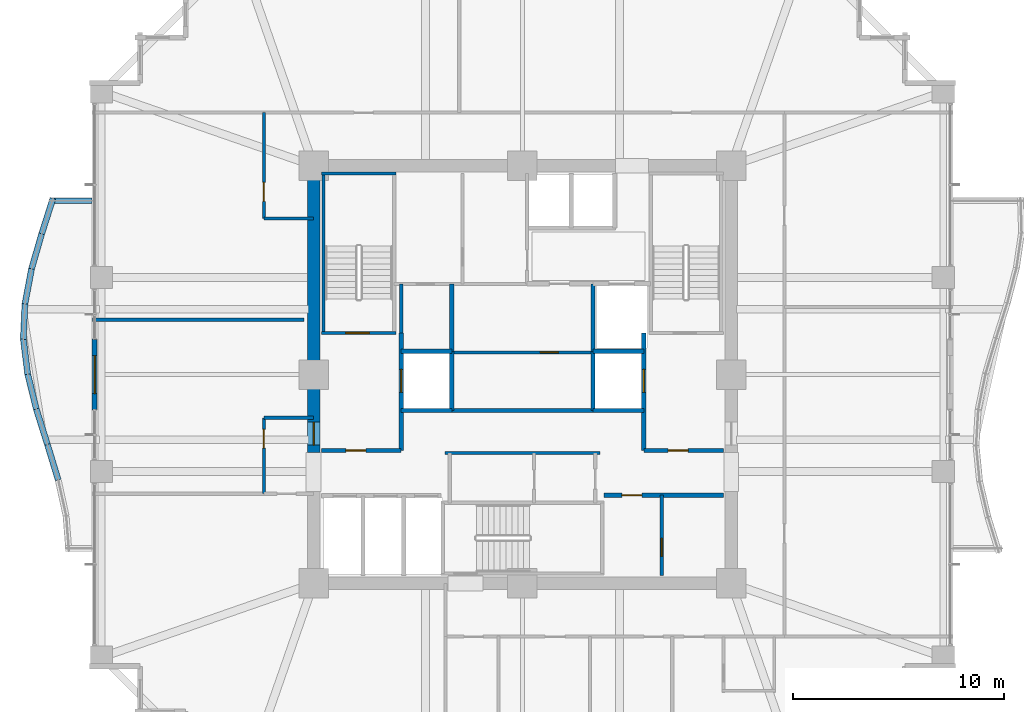
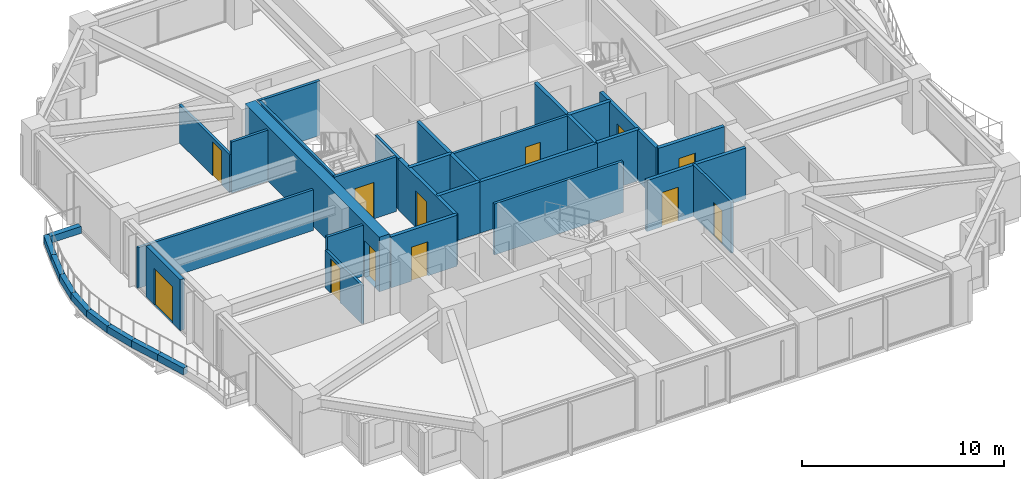
# One storey, part 31 of 36: 37 walls, 12 doors, 12 openings.
"""IFC4 building model written with IfcOpenShell, lengths in metres."""

from ifc_helpers import new_model, si_unit, direction, frame, frame_2d, origin, place, context, subcontext, project, spatial, rectangle, extrude, material, layer, layer_set, type_object, element, fill, save


model = new_model("IFC4")

# Units and contexts
model_context = context("Model", 3, precision=1e-05, world=origin(), true_north=direction((0.0, 1.0)))
body_context = subcontext(model_context, "Body", "Model", "MODEL_VIEW")
ifc_project = project(units=[si_unit("LENGTHUNIT", "METRE"), si_unit("AREAUNIT", "SQUARE_METRE"), si_unit("VOLUMEUNIT", "CUBIC_METRE"), si_unit("PLANEANGLEUNIT", "RADIAN"), si_unit("MASSUNIT", "GRAM", prefix="KILO")], contexts=[model_context])

# Site, building, storey
site_placement = place(None, origin())
site = spatial("IfcSite", under=ifc_project, at=site_placement, CompositionType="ELEMENT")
building_placement = place(site_placement, origin())
building = spatial("IfcBuilding", under=site, at=building_placement, Name="Kolvaren Belvedere", CompositionType="ELEMENT")
storey_placement = place(building_placement, frame((0.0, 0.0, 88.699951171875)))
storey = spatial("IfcBuildingStorey", under=building, at=storey_placement, Name="L25", CompositionType="ELEMENT", Elevation=88.699951171875)

# Wall, opening, door
ifc_material_1 = material(Name="Concrete C60/75", Category="concrete")
ifc_layer_1 = layer(ifc_material_1, 0.60009765625)
ifc_layer_set_1 = layer_set([ifc_layer_1], Name="Concrete C60/75")
wall_type_1 = type_object("IfcWallType", Name="CW-CORE-600", PredefinedType="SHEAR", material=ifc_layer_set_1)
wall_1_placement = place(storey_placement, frame((-9.89990234375, -3.699951171875, 0.0), z_axis=(0.0, 0.0, 1.0), x_axis=(0.0, 1.0, 0.0)))
wall_1 = element("IfcWall", 1, at=wall_1_placement, inside=storey, type_object=wall_type_1, Name="L25 West Core Shear Wall 2", PredefinedType="SHEAR", context=body_context, shape_type="SweptSolid", body=[
    extrude(rectangle(XDim=13.300048828125, YDim=0.60009765625, at=frame_2d((6.64990234375, 0.0))), origin(), (0.0, 0.0, 1.0), 3.300048828125),
])
opening_1_placement = place(wall_1_placement, frame((0.35009765625, 0.0, 0.0)))
opening_1 = element("IfcOpeningElement", 2, at=opening_1_placement, cuts=wall_1, Name="Opening D-FD90", PredefinedType="OPENING", context=body_context, shape_type="SweptSolid", body=[
    extrude(rectangle(XDim=1.10009765625, YDim=2.199951171875, at=frame_2d((0.550048828125, 1.10009765625))), frame((0.0, 0.31005859375, 0.0), z_axis=(0.0, -1.0, 0.0), x_axis=(1.0, 0.0, 0.0)), (0.0, 0.0, 1.0), 0.6201171875),
])
ifc_material_2 = material(Name="Painted hollow stainless steel", Category="steel")
door_type_1 = type_object("IfcDoorType", Name="DR-FD90-1100", OperationType="NOTDEFINED", PredefinedType="DOOR", material=ifc_material_2)
door_1_placement = place(opening_1_placement, origin())
door_1 = element("IfcDoor", 3, at=door_1_placement, inside=storey, type_object=door_type_1, Name="L25 West Firefighting Lobby Fire Door", OperationType="SINGLE_SWING_LEFT", OverallHeight=2.199951171875, OverallWidth=1.10009765625, PredefinedType="DOOR", context=body_context, shape_type="SweptSolid", body=[
    extrude(rectangle(XDim=1.10009765625, YDim=2.199951171875, at=frame_2d((0.550048828125, 1.10009765625))), frame((0.0, 0.02490234375, 0.0), z_axis=(0.0, -1.0, 0.0), x_axis=(1.0, 0.0, 0.0)), (0.0, 0.0, 1.0), 0.050048828125),
])
fill(opening_1, door_1)

ifc_material_3 = material(Name="Concrete C50/60", Category="concrete")
ifc_layer_2 = layer(ifc_material_3, 0.159912109375)
ifc_layer_set_2 = layer_set([ifc_layer_2], Name="Concrete C50/60")
wall_type_2 = type_object("IfcWallType", Name="CW-STAIR-160", PredefinedType="SHEAR", material=ifc_layer_set_2)
wall_2_placement = place(storey_placement, frame((-9.52001953125, 1.969970703125, 0.0), z_axis=(0.0, 0.0, 1.0), x_axis=(1.0, 0.0, 0.0)))
wall_2 = element("IfcWall", 4, at=wall_2_placement, inside=storey, type_object=wall_type_2, Name="L25 Stair ST-1 South Shear Wall", PredefinedType="SHEAR", context=body_context, shape_type="SweptSolid", body=[
    extrude(rectangle(XDim=3.52001953125, YDim=0.159912109375, at=frame_2d((1.760009765625, 0.0))), origin(), (0.0, 0.0, 1.0), 3.300048828125),
])
opening_2_placement = place(wall_2_placement, frame((1.14990234375, 0.0, 0.0)))
opening_2 = element("IfcOpeningElement", 5, at=opening_2_placement, cuts=wall_2, Name="Opening D-FD90", PredefinedType="OPENING", context=body_context, shape_type="SweptSolid", body=[
    extrude(rectangle(XDim=1.10009765625, YDim=2.199951171875, at=frame_2d((0.550048828125, 1.10009765625))), frame((0.0, 0.08984375, 0.0), z_axis=(0.0, -1.0, 0.0), x_axis=(1.0, 0.0, 0.0)), (0.0, 0.0, 1.0), 0.179931640625),
])
door_2_placement = place(opening_2_placement, origin())
door_2 = element("IfcDoor", 6, at=door_2_placement, inside=storey, type_object=door_type_1, Name="L25 Stair ST-1 Fire Door", OperationType="SINGLE_SWING_LEFT", OverallHeight=2.199951171875, OverallWidth=1.10009765625, PredefinedType="DOOR", context=body_context, shape_type="SweptSolid", body=[
    extrude(rectangle(XDim=1.10009765625, YDim=2.199951171875, at=frame_2d((0.550048828125, 1.10009765625))), frame((0.0, 0.02490234375, 0.0), z_axis=(0.0, -1.0, 0.0), x_axis=(1.0, 0.0, 0.0)), (0.0, 0.0, 1.0), 0.050048828125),
])
fill(opening_2, door_2)

# Walls
wall_3_placement = place(storey_placement, frame((-9.52001953125, 9.530029296875, 0.0), z_axis=(0.0, 0.0, 1.0), x_axis=(1.0, 0.0, 0.0)))
element("IfcWall", 7, at=wall_3_placement, inside=storey, type_object=wall_type_2, Name="L25 Stair ST-1 North Shear Wall", PredefinedType="SHEAR", context=body_context, shape_type="SweptSolid", body=[
    extrude(rectangle(XDim=3.52001953125, YDim=0.159912109375, at=frame_2d((1.760009765625, 0.0))), origin(), (0.0, 0.0, 1.0), 3.300048828125),
])
wall_4_placement = place(storey_placement, frame((-9.429931640625, 1.969970703125, 0.0), z_axis=(0.0, 0.0, 1.0), x_axis=(0.0, 1.0, 0.0)))
element("IfcWall", 8, at=wall_4_placement, inside=storey, type_object=wall_type_2, Name="L25 Stair ST-1 West Shear Wall", PredefinedType="SHEAR", context=body_context, shape_type="SweptSolid", body=[
    extrude(rectangle(XDim=7.56005859375, YDim=0.159912109375, at=frame_2d((3.780029296875, 0.0))), origin(), (0.0, 0.0, 1.0), 3.300048828125),
])

# Wall, opening, door
ifc_material_4 = material(Name="Gypsum fire-rated partition assembly", Category="gypsum")
ifc_layer_3 = layer(ifc_material_4, 0.14990234375)
ifc_layer_set_3 = layer_set([ifc_layer_3], Name="Gypsum fire-rated partition assembly")
wall_type_3 = type_object("IfcWallType", Name="WL-CORR-150", PredefinedType="PARTITIONING", material=ifc_layer_set_3)
wall_5_placement = place(storey_placement, frame((-12.260009765625, 7.39990234375, 0.0), z_axis=(0.0, 0.0, 1.0), x_axis=(0.0, 1.0, 0.0)))
wall_5 = element("IfcWall", 9, at=wall_5_placement, inside=storey, type_object=wall_type_3, Name="L25 NW Corridor End Wall", PredefinedType="PARTITIONING", context=body_context, shape_type="SweptSolid", body=[
    extrude(rectangle(XDim=5.02001953125, YDim=0.14990234375, at=frame_2d((2.510009765625, 0.0))), origin(), (0.0, 0.0, 1.0), 2.2919921875),
])
opening_3_placement = place(wall_5_placement, frame((0.81103515625, 0.0, 0.0)))
opening_3 = element("IfcOpeningElement", 10, at=opening_3_placement, cuts=wall_5, Name="Opening D-INT90", PredefinedType="OPENING", context=body_context, shape_type="SweptSolid", body=[
    extrude(rectangle(XDim=0.89990234375, YDim=2.06005859375, at=frame_2d((0.449951171875, 1.030029296875))), frame((0.0, 0.0849609375, 0.0), z_axis=(0.0, -1.0, 0.0), x_axis=(1.0, 0.0, 0.0)), (0.0, 0.0, 1.0), 0.169921875),
])
ifc_material_5 = material(Name="Stained Pacific white oak", Category="timber")
door_type_2 = type_object("IfcDoorType", Name="DR-INT-900", OperationType="NOTDEFINED", PredefinedType="DOOR", material=ifc_material_5)
door_3_placement = place(opening_3_placement, origin())
door_3 = element("IfcDoor", 11, at=door_3_placement, inside=storey, type_object=door_type_2, Name="L25 Private Hospitality Meeting Room 2505 Door", OperationType="SINGLE_SWING_RIGHT", OverallHeight=2.06005859375, OverallWidth=0.89990234375, PredefinedType="DOOR", context=body_context, shape_type="SweptSolid", body=[
    extrude(rectangle(XDim=0.89990234375, YDim=2.06005859375, at=frame_2d((0.449951171875, 1.030029296875))), frame((0.0, 0.02490234375, 0.0), z_axis=(0.0, -1.0, 0.0), x_axis=(1.0, 0.0, 0.0)), (0.0, 0.0, 1.0), 0.050048828125),
])
fill(opening_3, door_3)

# Wall
wall_6_placement = place(storey_placement, frame((-12.260009765625, 7.39990234375, 0.0), z_axis=(0.0, 0.0, 1.0), x_axis=(1.0, 0.0, 0.0)))
element("IfcWall", 12, at=wall_6_placement, inside=storey, type_object=wall_type_3, Name="L25 NW Core Closure Wall", PredefinedType="PARTITIONING", context=body_context, shape_type="SweptSolid", body=[
    extrude(rectangle(XDim=2.360107421875, YDim=0.14990234375, at=frame_2d((1.18017578125, 0.0))), origin(), (0.0, 0.0, 1.0), 3.080078125),
])

# Wall, opening, door
wall_7_placement = place(storey_placement, frame((-12.260009765625, -5.64990234375, 0.0), z_axis=(0.0, 0.0, 1.0), x_axis=(0.0, 1.0, 0.0)))
wall_7 = element("IfcWall", 13, at=wall_7_placement, inside=storey, type_object=wall_type_3, Name="L25 West FSAE Pocket Wall", PredefinedType="PARTITIONING", context=body_context, shape_type="SweptSolid", body=[
    extrude(rectangle(XDim=3.599853515625, YDim=0.14990234375, at=frame_2d((1.7998046875, 0.0))), origin(), (0.0, 0.0, 1.0), 2.2919921875),
])
opening_4_placement = place(wall_7_placement, frame((2.15625, 0.0, 0.0)))
opening_4 = element("IfcOpeningElement", 14, at=opening_4_placement, cuts=wall_7, Name="Opening D-INT90", PredefinedType="OPENING", context=body_context, shape_type="SweptSolid", body=[
    extrude(rectangle(XDim=0.89990234375, YDim=2.06005859375, at=frame_2d((0.449951171875, 1.030029296875))), frame((0.0, 0.0849609375, 0.0), z_axis=(0.0, -1.0, 0.0), x_axis=(1.0, 0.0, 0.0)), (0.0, 0.0, 1.0), 0.169921875),
])
door_4_placement = place(opening_4_placement, origin())
door_4 = element("IfcDoor", 15, at=door_4_placement, inside=storey, type_object=door_type_2, Name="L25 Botanical Reading Salon 2506 Door", OperationType="SINGLE_SWING_LEFT", OverallHeight=2.06005859375, OverallWidth=0.89990234375, PredefinedType="DOOR", context=body_context, shape_type="SweptSolid", body=[
    extrude(rectangle(XDim=0.89990234375, YDim=2.06005859375, at=frame_2d((0.449951171875, 1.030029296875))), frame((0.0, 0.02490234375, 0.0), z_axis=(0.0, -1.0, 0.0), x_axis=(1.0, 0.0, 0.0)), (0.0, 0.0, 1.0), 0.050048828125),
])
fill(opening_4, door_4)

# Wall
wall_8_placement = place(storey_placement, frame((-12.260009765625, -2.050048828125, 0.0), z_axis=(0.0, 0.0, 1.0), x_axis=(1.0, 0.0, 0.0)))
element("IfcWall", 16, at=wall_8_placement, inside=storey, type_object=wall_type_3, Name="L25 West Pocket North Closure Wall", PredefinedType="PARTITIONING", context=body_context, shape_type="SweptSolid", body=[
    extrude(rectangle(XDim=2.360107421875, YDim=0.14990234375, at=frame_2d((1.18017578125, 0.0))), origin(), (0.0, 0.0, 1.0), 3.080078125),
])

# Wall, opening, door
ifc_material_6 = material(Name="Insulated pale-metal facade wall assembly", Category="aluminium")
ifc_layer_4 = layer(ifc_material_6, 0.239990234375)
ifc_layer_set_4 = layer_set([ifc_layer_4], Name="Insulated pale-metal facade wall assembly")
wall_type_4 = type_object("IfcWallType", Name="WL-EXT-240", PredefinedType="STANDARD", material=ifc_layer_set_4)
wall_9_placement = place(storey_placement, frame((-20.280029296875, -1.679931640625, 0.0), z_axis=(0.0, 0.0, 1.0), x_axis=(0.0, 1.0, 0.0)))
wall_9 = element("IfcWall", 17, at=wall_9_placement, inside=storey, type_object=wall_type_4, Name="L25 West Terrace Portal Wall", PredefinedType="STANDARD", context=body_context, shape_type="SweptSolid", body=[
    extrude(rectangle(XDim=3.35986328125, YDim=0.239990234375, at=frame_2d((1.679931640625, 0.0))), origin(), (0.0, 0.0, 1.0), 3.080078125),
])
opening_5_placement = place(wall_9_placement, frame((0.780029296875, 0.0, 0.0)))
opening_5 = element("IfcOpeningElement", 18, at=opening_5_placement, cuts=wall_9, Name="Opening DB-1800", PredefinedType="OPENING", context=body_context, shape_type="SweptSolid", body=[
    extrude(rectangle(XDim=1.800048828125, YDim=2.199951171875, at=frame_2d((0.89990234375, 1.10009765625))), frame((0.0, 0.1298828125, 0.0), z_axis=(0.0, -1.0, 0.0), x_axis=(1.0, 0.0, 0.0)), (0.0, 0.0, 1.0), 0.260009765625),
])
ifc_material_7 = material(Name="Thermally broken pale-metal aluminium & low-iron glass", Category="aluminium")
door_type_3 = type_object("IfcDoorType", Name="DR-BAL-1800", OperationType="DOUBLE_DOOR_SLIDING", PredefinedType="DOOR", material=ifc_material_7)
door_5_placement = place(opening_5_placement, origin())
door_5 = element("IfcDoor", 19, at=door_5_placement, inside=storey, type_object=door_type_3, Name="L25 West Planted Terrace Sliding Door", OperationType="DOUBLE_DOOR_SLIDING", OverallHeight=2.199951171875, OverallWidth=1.800048828125, PredefinedType="DOOR", context=body_context, shape_type="SweptSolid", body=[
    extrude(rectangle(XDim=1.800048828125, YDim=2.199951171875, at=frame_2d((0.89990234375, 1.10009765625))), frame((0.0, 0.02490234375, 0.0), z_axis=(0.0, -1.0, 0.0), x_axis=(1.0, 0.0, 0.0)), (0.0, 0.0, 1.0), 0.050048828125),
])
fill(opening_5, door_5)

ifc_material_8 = material(Name="Gypsum acoustic partition assembly", Category="gypsum")
ifc_layer_5 = layer(ifc_material_8, 0.14990234375)
ifc_layer_set_5 = layer_set([ifc_layer_5], Name="Gypsum acoustic partition assembly")
wall_type_5 = type_object("IfcWallType", Name="WL-PART-150", PredefinedType="PARTITIONING", material=ifc_layer_set_5)
wall_10_placement = place(storey_placement, frame((6.60009765625, -9.52001953125, 0.0), z_axis=(0.0, 0.0, 1.0), x_axis=(0.0, 1.0, 0.0)))
wall_10 = element("IfcWall", 20, at=wall_10_placement, inside=storey, type_object=wall_type_5, Name="L25 SE Core Divider", PredefinedType="PARTITIONING", context=body_context, shape_type="SweptSolid", body=[
    extrude(rectangle(XDim=3.800048828125, YDim=0.14990234375, at=frame_2d((1.89990234375, 0.0))), origin(), (0.0, 0.0, 1.0), 3.080078125),
])
opening_6_placement = place(wall_10_placement, frame((0.89990234375, 0.0, 0.0)))
opening_6 = element("IfcOpeningElement", 21, at=opening_6_placement, cuts=wall_10, Name="Opening D-INT85", PredefinedType="OPENING", context=body_context, shape_type="SweptSolid", body=[
    extrude(rectangle(XDim=0.85009765625, YDim=2.030029296875, at=frame_2d((0.425048828125, 1.01513671875))), frame((0.0, 0.0849609375, 0.0), z_axis=(0.0, -1.0, 0.0), x_axis=(1.0, 0.0, 0.0)), (0.0, 0.0, 1.0), 0.169921875),
])
ifc_material_9 = material(Name="Stained Pacific white oak", Category="timber")
door_type_4 = type_object("IfcDoorType", Name="DR-INT-850", OperationType="NOTDEFINED", PredefinedType="DOOR", material=ifc_material_9)
door_6_placement = place(opening_6_placement, origin())
door_6 = element("IfcDoor", 22, at=door_6_placement, inside=storey, type_object=door_type_4, Name="L25 SE Switchboard Door", OperationType="SINGLE_SWING_LEFT", OverallHeight=2.030029296875, OverallWidth=0.85009765625, PredefinedType="DOOR", context=body_context, shape_type="SweptSolid", body=[
    extrude(rectangle(XDim=0.85009765625, YDim=2.030029296875, at=frame_2d((0.425048828125, 1.01513671875))), frame((0.0, 0.02490234375, 0.0), z_axis=(0.0, -1.0, 0.0), x_axis=(1.0, 0.0, 0.0)), (0.0, 0.0, 1.0), 0.050048828125),
])
fill(opening_6, door_6)

wall_11_placement = place(storey_placement, frame((-3.35009765625, 1.050048828125, 0.0), z_axis=(0.0, 0.0, 1.0), x_axis=(1.0, 0.0, 0.0)))
wall_11 = element("IfcWall", 23, at=wall_11_placement, inside=storey, type_object=wall_type_5, Name="L25 Central Core H-Divider", PredefinedType="PARTITIONING", context=body_context, shape_type="SweptSolid", body=[
    extrude(rectangle(XDim=6.7001953125, YDim=0.14990234375, at=frame_2d((3.35009765625, 0.0))), origin(), (0.0, 0.0, 1.0), 3.080078125),
])
opening_7_placement = place(wall_11_placement, frame((4.199951171875, 0.0, 0.0)))
opening_7 = element("IfcOpeningElement", 24, at=opening_7_placement, cuts=wall_11, Name="Opening D-INT85", PredefinedType="OPENING", context=body_context, shape_type="SweptSolid", body=[
    extrude(rectangle(XDim=0.85009765625, YDim=2.030029296875, at=frame_2d((0.425048828125, 1.01513671875))), frame((0.0, 0.0849609375, 0.0), z_axis=(0.0, -1.0, 0.0), x_axis=(1.0, 0.0, 0.0)), (0.0, 0.0, 1.0), 0.169921875),
])
door_7_placement = place(opening_7_placement, origin())
door_7 = element("IfcDoor", 25, at=door_7_placement, inside=storey, type_object=door_type_4, Name="L25 Central Archive Door", OperationType="SINGLE_SWING_LEFT", OverallHeight=2.030029296875, OverallWidth=0.85009765625, PredefinedType="DOOR", context=body_context, shape_type="SweptSolid", body=[
    extrude(rectangle(XDim=0.85009765625, YDim=2.030029296875, at=frame_2d((0.425048828125, 1.01513671875))), frame((0.0, 0.02490234375, 0.0), z_axis=(0.0, -1.0, 0.0), x_axis=(1.0, 0.0, 0.0)), (0.0, 0.0, 1.0), 0.050048828125),
])
fill(opening_7, door_7)

# Walls
wall_12_placement = place(storey_placement, frame((-3.679931640625, -3.719970703125, 0.0), z_axis=(0.0, 0.0, 1.0), x_axis=(1.0, 0.0, 0.0)))
element("IfcWall", 26, at=wall_12_placement, inside=storey, type_object=wall_type_5, Name="L25 South Core Service North Wall", PredefinedType="PARTITIONING", context=body_context, shape_type="SweptSolid", body=[
    extrude(rectangle(XDim=7.35986328125, YDim=0.14990234375, at=frame_2d((3.679931640625, 0.0))), origin(), (0.0, 0.0, 1.0), 3.080078125),
])
wall_13_placement = place(storey_placement, frame((-5.75, 1.969970703125, 0.0), z_axis=(0.0, 0.0, 1.0), x_axis=(0.0, 1.0, 0.0)))
element("IfcWall", 27, at=wall_13_placement, inside=storey, type_object=wall_type_5, Name="L25 NW Service Room West Wall", PredefinedType="PARTITIONING", context=body_context, shape_type="SweptSolid", body=[
    extrude(rectangle(XDim=2.330078125, YDim=0.14990234375, at=frame_2d((1.1650390625, 0.0))), origin(), (0.0, 0.0, 1.0), 3.080078125),
])
wall_14_placement = place(storey_placement, frame((-20.3798828125, 2.60009765625, 0.0), z_axis=(0.0, 0.0, 1.0), x_axis=(1.0, 0.0, 0.0)))
element("IfcWall", 28, at=wall_14_placement, inside=storey, type_object=wall_type_5, Name="L25 West Upper Suite Divider", PredefinedType="PARTITIONING", context=body_context, shape_type="SweptSolid", body=[
    extrude(rectangle(XDim=10.019775390625, YDim=0.14990234375, at=frame_2d((5.009765625, 0.0))), origin(), (0.0, 0.0, 1.0), 2.448974609375),
])
ifc_material_10 = material(Name="Precast concrete C40/50", Category="concrete")
ifc_layer_6 = layer(ifc_material_10, 0.300048828125)
ifc_layer_set_6 = layer_set([ifc_layer_6], Name="Precast concrete C40/50")
wall_type_6 = type_object("IfcWallType", Name="WL-PLANTER-300", PredefinedType="PARAPET", material=ifc_layer_set_6)
wall_15_placement = place(storey_placement, frame((-22.25390625, 8.351318359375, -0.0400390625), z_axis=(0.0, 0.0, 1.0), x_axis=(-0.304032153573, -0.952661770826, 0.0)))
element("IfcWall", 29, at=wall_15_placement, inside=storey, type_object=wall_type_6, Name="L25 Precast Structural Planter Wall BAL-W-1", PredefinedType="PARAPET", context=body_context, shape_type="SweptSolid", body=[
    extrude(rectangle(XDim=1.763427734375, YDim=0.280029296875, at=frame_2d((0.8818359375, 0.0))), origin(), (0.0, 0.0, 1.0), 0.420166015625),
])
wall_16_placement = place(storey_placement, frame((-22.788818359375, 6.675537109375, -0.0400390625), z_axis=(0.0, 0.0, 1.0), x_axis=(-0.277817391164, -0.960633903819, 0.0)))
element("IfcWall", 30, at=wall_16_placement, inside=storey, type_object=wall_type_6, Name="L25 Precast Structural Planter Wall BAL-W-2", PredefinedType="PARAPET", context=body_context, shape_type="SweptSolid", body=[
    extrude(rectangle(XDim=1.748779296875, YDim=0.280029296875, at=frame_2d((0.87451171875, 0.0))), origin(), (0.0, 0.0, 1.0), 0.420166015625),
])
wall_17_placement = place(storey_placement, frame((-23.271240234375, 5.010498046875, -0.0400390625), z_axis=(0.0, 0.0, 1.0), x_axis=(-0.184650661912, -0.982804219087, 0.0)))
element("IfcWall", 31, at=wall_17_placement, inside=storey, type_object=wall_type_6, Name="L25 Precast Structural Planter Wall BAL-W-3", PredefinedType="PARAPET", context=body_context, shape_type="SweptSolid", body=[
    extrude(rectangle(XDim=1.70947265625, YDim=0.280029296875, at=frame_2d((0.854736328125, 0.0))), origin(), (0.0, 0.0, 1.0), 0.420166015625),
])
wall_18_placement = place(storey_placement, frame((-23.58447265625, 3.352783203125, -0.0400390625), z_axis=(0.0, 0.0, 1.0), x_axis=(-0.045005941428, -0.998986719249, 0.0)))
element("IfcWall", 32, at=wall_18_placement, inside=storey, type_object=wall_type_6, Name="L25 Precast Structural Planter Wall BAL-W-4", PredefinedType="PARAPET", context=body_context, shape_type="SweptSolid", body=[
    extrude(rectangle(XDim=1.681640625, YDim=0.280029296875, at=frame_2d((0.8408203125, 0.0))), origin(), (0.0, 0.0, 1.0), 0.420166015625),
])
wall_19_placement = place(storey_placement, frame((-23.6611328125, 1.699462890625, -0.0400390625), z_axis=(0.0, 0.0, 1.0), x_axis=(0.121886315522, -0.99254406758, 0.0)))
element("IfcWall", 33, at=wall_19_placement, inside=storey, type_object=wall_type_6, Name="L25 Precast Structural Planter Wall BAL-W-5", PredefinedType="PARAPET", context=body_context, shape_type="SweptSolid", body=[
    extrude(rectangle(XDim=1.692626953125, YDim=0.280029296875, at=frame_2d((0.84619140625, 0.0))), origin(), (0.0, 0.0, 1.0), 0.420166015625),
])
wall_20_placement = place(storey_placement, frame((-23.458251953125, 0.038330078125, -0.0400390625), z_axis=(0.0, 0.0, 1.0), x_axis=(0.239180748277, -0.970975061293, 0.0)))
element("IfcWall", 34, at=wall_20_placement, inside=storey, type_object=wall_type_6, Name="L25 Precast Structural Planter Wall BAL-W-6", PredefinedType="PARAPET", context=body_context, shape_type="SweptSolid", body=[
    extrude(rectangle(XDim=1.730224609375, YDim=0.280029296875, at=frame_2d((0.865234375, 0.0))), origin(), (0.0, 0.0, 1.0), 0.420166015625),
])
wall_21_placement = place(storey_placement, frame((-23.047119140625, -1.632080078125, -0.0400390625), z_axis=(0.0, 0.0, 1.0), x_axis=(0.299624691176, -0.954057149461, 0.0)))
element("IfcWall", 35, at=wall_21_placement, inside=storey, type_object=wall_type_6, Name="L25 Precast Structural Planter Wall BAL-W-7", PredefinedType="PARAPET", context=body_context, shape_type="SweptSolid", body=[
    extrude(rectangle(XDim=1.7607421875, YDim=0.280029296875, at=frame_2d((0.88037109375, 0.0))), origin(), (0.0, 0.0, 1.0), 0.420166015625),
])
wall_22_placement = place(storey_placement, frame((-22.51904296875, -3.3134765625, -0.0400390625), z_axis=(0.0, 0.0, 1.0), x_axis=(0.290879426191, -0.956759718748, 0.0)))
element("IfcWall", 36, at=wall_22_placement, inside=storey, type_object=wall_type_6, Name="L25 Precast Structural Planter Wall BAL-W-8", PredefinedType="PARAPET", context=body_context, shape_type="SweptSolid", body=[
    extrude(rectangle(XDim=1.755859375, YDim=0.280029296875, at=frame_2d((0.8779296875, 0.0))), origin(), (0.0, 0.0, 1.0), 0.420166015625),
])
wall_23_placement = place(storey_placement, frame((-20.39990234375, 8.239990234375, -0.0400390625), z_axis=(0.0, 0.0, 1.0), x_axis=(-1.0, 0.0, 0.0)))
element("IfcWall", 37, at=wall_23_placement, inside=storey, type_object=wall_type_6, Name="L25 Precast Structural Planter Wall BAL-W-22", PredefinedType="PARAPET", context=body_context, shape_type="SweptSolid", body=[
    extrude(rectangle(XDim=2.00634765625, YDim=0.280029296875, at=frame_2d((1.003173828125, 0.0))), origin(), (0.0, 0.0, 1.0), 0.420166015625),
])

# Wall, opening, door
ifc_material_11 = material(Name="Concrete C50/60", Category="concrete")
ifc_layer_7 = layer(ifc_material_11, 0.199951171875)
ifc_layer_set_7 = layer_set([ifc_layer_7], Name="Concrete C50/60")
wall_type_7 = type_object("IfcWallType", Name="WL-SHAFT-200", PredefinedType="SOLIDWALL", material=ifc_layer_set_7)
wall_24_placement = place(storey_placement, frame((-9.52001953125, -3.60009765625, 0.0), z_axis=(0.0, 0.0, 1.0), x_axis=(1.0, 0.0, 0.0)))
wall_24 = element("IfcWall", 38, at=wall_24_placement, inside=storey, type_object=wall_type_7, Name="L25 West FSAE Lobby South Wall", PredefinedType="SOLIDWALL", context=body_context, shape_type="SweptSolid", body=[
    extrude(rectangle(XDim=3.77001953125, YDim=0.199951171875, at=frame_2d((1.885009765625, 0.0))), origin(), (0.0, 0.0, 1.0), 3.080078125),
])
opening_8_placement = place(wall_24_placement, frame((1.14990234375, 0.0, 0.0)))
opening_8 = element("IfcOpeningElement", 39, at=opening_8_placement, cuts=wall_24, Name="Opening D-FD60", PredefinedType="OPENING", context=body_context, shape_type="SweptSolid", body=[
    extrude(rectangle(XDim=0.949951171875, YDim=2.06005859375, at=frame_2d((0.47509765625, 1.030029296875))), frame((0.0, 0.10986328125, 0.0), z_axis=(0.0, -1.0, 0.0), x_axis=(1.0, 0.0, 0.0)), (0.0, 0.0, 1.0), 0.219970703125),
])
ifc_material_12 = material(Name="Acoustic white-oak fire door leaf", Category="timber")
door_type_5 = type_object("IfcDoorType", Name="DR-FD60-950", OperationType="NOTDEFINED", PredefinedType="DOOR", material=ifc_material_12)
door_8_placement = place(opening_8_placement, origin())
door_8 = element("IfcDoor", 40, at=door_8_placement, inside=storey, type_object=door_type_5, Name="L25 Mid-Rise Lift Lobby Fire Door", OperationType="SINGLE_SWING_LEFT", OverallHeight=2.06005859375, OverallWidth=0.949951171875, PredefinedType="DOOR", context=body_context, shape_type="SweptSolid", body=[
    extrude(rectangle(XDim=0.949951171875, YDim=2.06005859375, at=frame_2d((0.47509765625, 1.030029296875))), frame((0.0, 0.02490234375, 0.0), z_axis=(0.0, -1.0, 0.0), x_axis=(1.0, 0.0, 0.0)), (0.0, 0.0, 1.0), 0.050048828125),
])
fill(opening_8, door_8)

wall_25_placement = place(storey_placement, frame((-5.75, -3.60009765625, 0.0), z_axis=(0.0, 0.0, 1.0), x_axis=(0.0, 1.0, 0.0)))
wall_25 = element("IfcWall", 41, at=wall_25_placement, inside=storey, type_object=wall_type_7, Name="L25 FSAE FS1 Landing Wall", PredefinedType="SOLIDWALL", context=body_context, shape_type="SweptSolid", body=[
    extrude(rectangle(XDim=5.570068359375, YDim=0.199951171875, at=frame_2d((2.78515625, 0.0))), origin(), (0.0, 0.0, 1.0), 3.080078125),
])
opening_9_placement = place(wall_25_placement, frame((2.75, 0.0, 0.0)))
opening_9 = element("IfcOpeningElement", 42, at=opening_9_placement, cuts=wall_25, Name="Opening LD-11", PredefinedType="OPENING", context=body_context, shape_type="SweptSolid", body=[
    extrude(rectangle(XDim=1.10009765625, YDim=2.199951171875, at=frame_2d((0.550048828125, 1.10009765625))), frame((0.0, 0.10986328125, 0.0), z_axis=(0.0, -1.0, 0.0), x_axis=(1.0, 0.0, 0.0)), (0.0, 0.0, 1.0), 0.219970703125),
])
ifc_material_13 = material(Name="Brushed stainless steel", Category="steel")
door_type_6 = type_object("IfcDoorType", Name="DR-LIFT-1100", OperationType="DOUBLE_DOOR_SLIDING", PredefinedType="DOOR", material=ifc_material_13)
door_9_placement = place(opening_9_placement, origin())
door_9 = element("IfcDoor", 43, at=door_9_placement, inside=storey, type_object=door_type_6, Name="L25 Firefighting Lift FS1 Landing Door", OperationType="DOUBLE_DOOR_SLIDING", OverallHeight=2.199951171875, OverallWidth=1.10009765625, PredefinedType="DOOR", context=body_context, shape_type="SweptSolid", body=[
    extrude(rectangle(XDim=1.10009765625, YDim=2.199951171875, at=frame_2d((0.550048828125, 1.10009765625))), frame((0.0, 0.02490234375, 0.0), z_axis=(0.0, -1.0, 0.0), x_axis=(1.0, 0.0, 0.0)), (0.0, 0.0, 1.0), 0.050048828125),
])
fill(opening_9, door_9)

# Walls
wall_26_placement = place(storey_placement, frame((-3.35009765625, -1.699951171875, 0.0), z_axis=(0.0, 0.0, 1.0), x_axis=(0.0, 1.0, 0.0)))
element("IfcWall", 44, at=wall_26_placement, inside=storey, type_object=wall_type_7, Name="L25 FSAE FS1 Back Wall", PredefinedType="SOLIDWALL", context=body_context, shape_type="SweptSolid", body=[
    extrude(rectangle(XDim=2.800048828125, YDim=0.199951171875, at=frame_2d((1.39990234375, 0.0))), origin(), (0.0, 0.0, 1.0), 3.080078125),
])
for number, where, z_axis, x_axis, name in (
    (45, (-5.75, -1.699951171875, 0.0), (0.0, 0.0, 1.0), (1.0, 0.0, 0.0), "L25 FSAE FS1 South Wall"),
    (46, (-5.75, 1.10009765625, 0.0), (0.0, 0.0, 1.0), (1.0, 0.0, 0.0), "L25 FSAE FS1 North Wall"),
):
    element("IfcWall", number, at=place(storey_placement, frame(where, z_axis=z_axis, x_axis=x_axis)), inside=storey, type_object=wall_type_7, Name=name, PredefinedType="SOLIDWALL", context=body_context, shape_type="SweptSolid", body=[
        extrude(rectangle(XDim=2.39990234375, YDim=0.199951171875, at=frame_2d((1.199951171875, 0.0))), origin(), (0.0, 0.0, 1.0), 3.080078125),
    ])

# Wall, opening, door
wall_27_placement = place(storey_placement, frame((5.75, -3.60009765625, 0.0), z_axis=(0.0, 0.0, 1.0), x_axis=(1.0, 0.0, 0.0)))
wall_27 = element("IfcWall", 47, at=wall_27_placement, inside=storey, type_object=wall_type_7, Name="L25 East FSAE Lobby South Wall", PredefinedType="SOLIDWALL", context=body_context, shape_type="SweptSolid", body=[
    extrude(rectangle(XDim=3.77001953125, YDim=0.199951171875, at=frame_2d((1.885009765625, 0.0))), origin(), (0.0, 0.0, 1.0), 3.080078125),
])
opening_10_placement = place(wall_27_placement, frame((1.14990234375, 0.0, 0.0)))
opening_10 = element("IfcOpeningElement", 48, at=opening_10_placement, cuts=wall_27, Name="Opening D-FD60", PredefinedType="OPENING", context=body_context, shape_type="SweptSolid", body=[
    extrude(rectangle(XDim=0.949951171875, YDim=2.06005859375, at=frame_2d((0.47509765625, 1.030029296875))), frame((0.0, 0.10986328125, 0.0), z_axis=(0.0, -1.0, 0.0), x_axis=(1.0, 0.0, 0.0)), (0.0, 0.0, 1.0), 0.219970703125),
])
door_10_placement = place(opening_10_placement, origin())
door_10 = element("IfcDoor", 49, at=door_10_placement, inside=storey, type_object=door_type_5, Name="L25 SE Lift Lobby Fire Door", OperationType="SINGLE_SWING_RIGHT", OverallHeight=2.06005859375, OverallWidth=0.949951171875, PredefinedType="DOOR", context=body_context, shape_type="SweptSolid", body=[
    extrude(rectangle(XDim=0.949951171875, YDim=2.06005859375, at=frame_2d((0.47509765625, 1.030029296875))), frame((0.0, 0.02490234375, 0.0), z_axis=(0.0, -1.0, 0.0), x_axis=(1.0, 0.0, 0.0)), (0.0, 0.0, 1.0), 0.050048828125),
])
fill(opening_10, door_10)

wall_28_placement = place(storey_placement, frame((5.75, -3.60009765625, 0.0), z_axis=(0.0, 0.0, 1.0), x_axis=(0.0, 1.0, 0.0)))
wall_28 = element("IfcWall", 50, at=wall_28_placement, inside=storey, type_object=wall_type_7, Name="L25 FSAE FS2 Landing Wall", PredefinedType="SOLIDWALL", context=body_context, shape_type="SweptSolid", body=[
    extrude(rectangle(XDim=5.570068359375, YDim=0.199951171875, at=frame_2d((2.78515625, 0.0))), origin(), (0.0, 0.0, 1.0), 3.080078125),
])
opening_11_placement = place(wall_28_placement, frame((2.75, 0.0, 0.0)))
opening_11 = element("IfcOpeningElement", 51, at=opening_11_placement, cuts=wall_28, Name="Opening LD-11", PredefinedType="OPENING", context=body_context, shape_type="SweptSolid", body=[
    extrude(rectangle(XDim=1.10009765625, YDim=2.199951171875, at=frame_2d((0.550048828125, 1.10009765625))), frame((0.0, 0.10986328125, 0.0), z_axis=(0.0, -1.0, 0.0), x_axis=(1.0, 0.0, 0.0)), (0.0, 0.0, 1.0), 0.219970703125),
])
door_11_placement = place(opening_11_placement, origin())
door_11 = element("IfcDoor", 52, at=door_11_placement, inside=storey, type_object=door_type_6, Name="L25 Firefighting Lift FS2 Landing Door", OperationType="DOUBLE_DOOR_SLIDING", OverallHeight=2.199951171875, OverallWidth=1.10009765625, PredefinedType="DOOR", context=body_context, shape_type="SweptSolid", body=[
    extrude(rectangle(XDim=1.10009765625, YDim=2.199951171875, at=frame_2d((0.550048828125, 1.10009765625))), frame((0.0, 0.02490234375, 0.0), z_axis=(0.0, -1.0, 0.0), x_axis=(1.0, 0.0, 0.0)), (0.0, 0.0, 1.0), 0.050048828125),
])
fill(opening_11, door_11)

# Walls
wall_29_placement = place(storey_placement, frame((3.35009765625, -1.699951171875, 0.0), z_axis=(0.0, 0.0, 1.0), x_axis=(0.0, 1.0, 0.0)))
element("IfcWall", 53, at=wall_29_placement, inside=storey, type_object=wall_type_7, Name="L25 FSAE FS2 Back Wall", PredefinedType="SOLIDWALL", context=body_context, shape_type="SweptSolid", body=[
    extrude(rectangle(XDim=2.800048828125, YDim=0.199951171875, at=frame_2d((1.39990234375, 0.0))), origin(), (0.0, 0.0, 1.0), 3.080078125),
])
for number, where, z_axis, x_axis, name in (
    (54, (3.35009765625, -1.699951171875, 0.0), (0.0, 0.0, 1.0), (1.0, 0.0, 0.0), "L25 FSAE FS2 South Wall"),
    (55, (3.35009765625, 1.10009765625, 0.0), (0.0, 0.0, 1.0), (1.0, 0.0, 0.0), "L25 FSAE FS2 North Wall"),
):
    element("IfcWall", number, at=place(storey_placement, frame(where, z_axis=z_axis, x_axis=x_axis)), inside=storey, type_object=wall_type_7, Name=name, PredefinedType="SOLIDWALL", context=body_context, shape_type="SweptSolid", body=[
        extrude(rectangle(XDim=2.39990234375, YDim=0.199951171875, at=frame_2d((1.199951171875, 0.0))), origin(), (0.0, 0.0, 1.0), 3.080078125),
    ])

# Wall, opening, door
wall_30_placement = place(storey_placement, frame((3.860107421875, -5.719970703125, 0.0), z_axis=(0.0, 0.0, 1.0), x_axis=(1.0, 0.0, 0.0)))
wall_30 = element("IfcWall", 56, at=wall_30_placement, inside=storey, type_object=wall_type_7, Name="L25 SE Core Distribution Wall", PredefinedType="SOLIDWALL", context=body_context, shape_type="SweptSolid", body=[
    extrude(rectangle(XDim=5.659912109375, YDim=0.199951171875, at=frame_2d((2.830078125, 0.0))), origin(), (0.0, 0.0, 1.0), 3.080078125),
])
opening_12_placement = place(wall_30_placement, frame((0.85009765625, 0.0, 0.0)))
opening_12 = element("IfcOpeningElement", 57, at=opening_12_placement, cuts=wall_30, Name="Opening D-FD60", PredefinedType="OPENING", context=body_context, shape_type="SweptSolid", body=[
    extrude(rectangle(XDim=0.949951171875, YDim=2.06005859375, at=frame_2d((0.47509765625, 1.030029296875))), frame((0.0, 0.10986328125, 0.0), z_axis=(0.0, -1.0, 0.0), x_axis=(1.0, 0.0, 0.0)), (0.0, 0.0, 1.0), 0.219970703125),
])
door_12_placement = place(opening_12_placement, origin())
door_12 = element("IfcDoor", 58, at=door_12_placement, inside=storey, type_object=door_type_5, Name="L25 SE Telecom Door", OperationType="SINGLE_SWING_RIGHT", OverallHeight=2.06005859375, OverallWidth=0.949951171875, PredefinedType="DOOR", context=body_context, shape_type="SweptSolid", body=[
    extrude(rectangle(XDim=0.949951171875, YDim=2.06005859375, at=frame_2d((0.47509765625, 1.030029296875))), frame((0.0, 0.02490234375, 0.0), z_axis=(0.0, -1.0, 0.0), x_axis=(1.0, 0.0, 0.0)), (0.0, 0.0, 1.0), 0.050048828125),
])
fill(opening_12, door_12)

# Walls
wall_31_placement = place(storey_placement, frame((-3.35009765625, -1.699951171875, 0.0), z_axis=(0.0, 0.0, 1.0), x_axis=(1.0, 0.0, 0.0)))
element("IfcWall", 59, at=wall_31_placement, inside=storey, type_object=wall_type_7, Name="L25 Central Core Room South Wall", PredefinedType="SOLIDWALL", context=body_context, shape_type="SweptSolid", body=[
    extrude(rectangle(XDim=6.7001953125, YDim=0.199951171875, at=frame_2d((3.35009765625, 0.0))), origin(), (0.0, 0.0, 1.0), 3.080078125),
])
for number, where, z_axis, x_axis, name in (
    (60, (-3.35009765625, 1.10009765625, 0.0), (0.0, 0.0, 1.0), (0.0, 1.0, 0.0), "L25 Central Core Room West Wall"),
    (61, (3.35009765625, 1.10009765625, 0.0), (0.0, 0.0, 1.0), (0.0, 1.0, 0.0), "L25 Central Core Room East Wall"),
):
    element("IfcWall", number, at=place(storey_placement, frame(where, z_axis=z_axis, x_axis=x_axis)), inside=storey, type_object=wall_type_7, Name=name, PredefinedType="SOLIDWALL", context=body_context, shape_type="SweptSolid", body=[
        extrude(rectangle(XDim=3.199951171875, YDim=0.199951171875, at=frame_2d((1.60009765625, 0.0))), origin(), (0.0, 0.0, 1.0), 3.080078125),
    ])

save(model, "model.ifc")
